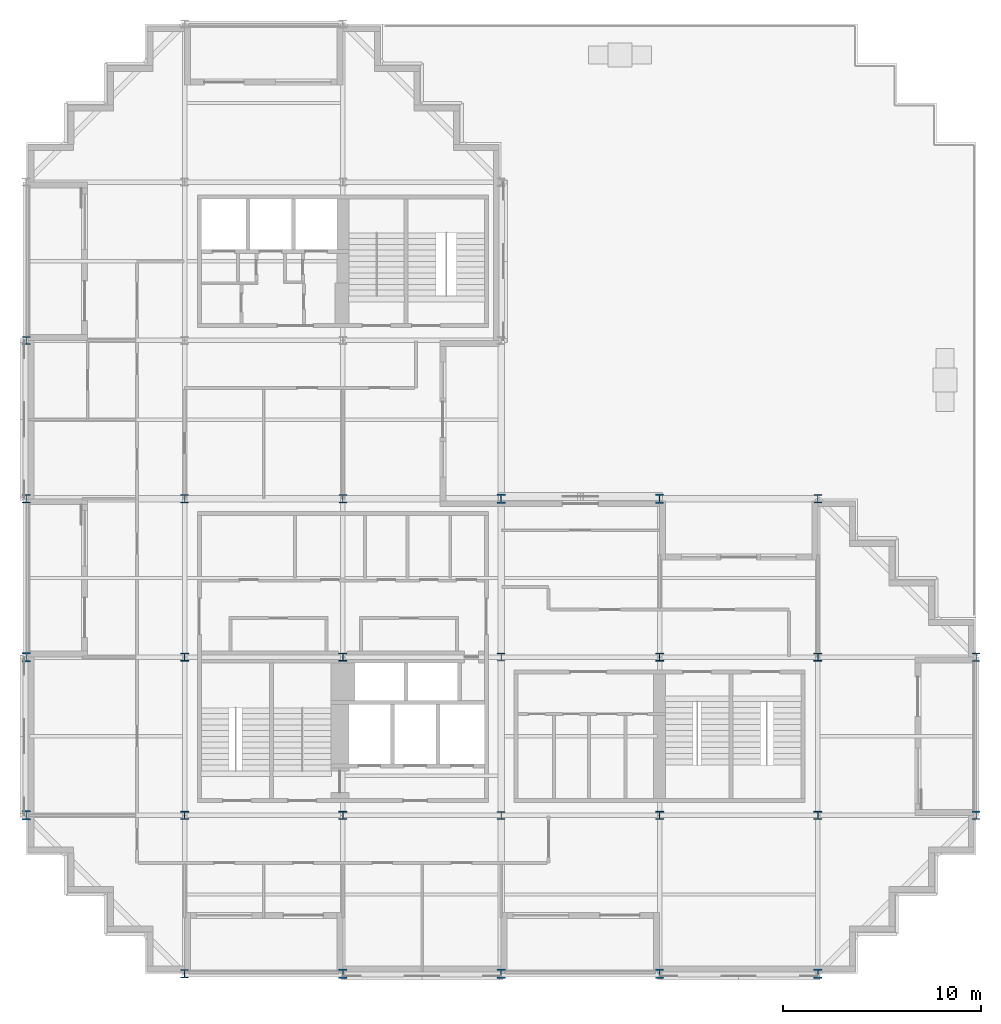
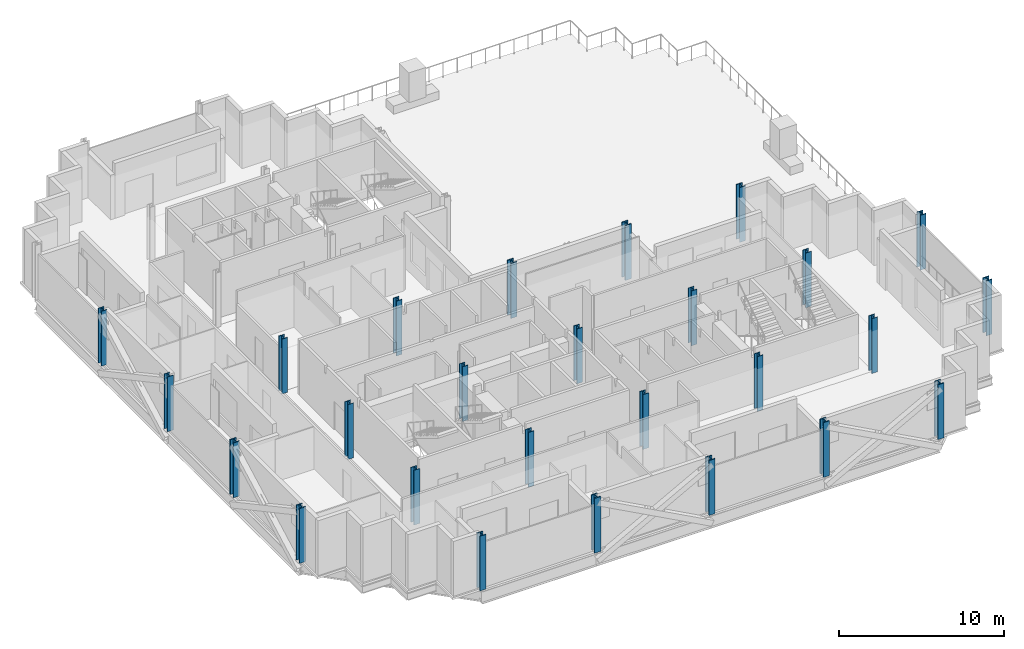
# One storey, part 1 of 12: 26 columns.
"""IFC4 building model written with IfcOpenShell, lengths in metres."""

from ifc_helpers import new_model, si_unit, direction, frame, origin, origin_2d, place, context, subcontext, project, spatial, i_section, extrude, material, material_profile, profile_set, type_object, element, save


model = new_model("IFC4")

# Units and contexts
model_context = context("Model", 3, precision=1e-05, world=origin(), true_north=direction((0.0, 1.0)))
body_context = subcontext(model_context, "Body", "Model", "MODEL_VIEW")
ifc_project = project(units=[si_unit("LENGTHUNIT", "METRE"), si_unit("AREAUNIT", "SQUARE_METRE"), si_unit("VOLUMEUNIT", "CUBIC_METRE"), si_unit("PLANEANGLEUNIT", "RADIAN"), si_unit("MASSUNIT", "GRAM", prefix="KILO")], contexts=[model_context])

# Site, building, storey
site_placement = place(None, origin())
site = spatial("IfcSite", under=ifc_project, at=site_placement, CompositionType="ELEMENT")
building_placement = place(site_placement, origin())
building = spatial("IfcBuilding", under=site, at=building_placement, Name="Immortelle Media Tower", CompositionType="ELEMENT")
storey_placement = place(building_placement, frame((0.0, 0.0, 120.0)))
storey = spatial("IfcBuildingStorey", under=building, at=storey_placement, Name="L23", CompositionType="ELEMENT", Elevation=120.0)

# Columns
ifc_material = material(Name="Steel ASTM A992 Gr 50", Category="steel")
ifc_material_profile_1 = material_profile(ifc_material, i_section(OverallWidth=0.40087890625, OverallDepth=0.39892578125, WebThickness=0.02490234375, FlangeThickness=0.0400390625, at=origin_2d()), Name="W14x211")
ifc_profile_set_1 = profile_set([ifc_material_profile_1], Name="Steel ASTM A992 Gr 50")
column_type_1 = type_object("IfcColumnType", Name="W14x211 column", PredefinedType="COLUMN", material=ifc_profile_set_1)
for number, where, z_axis, x_axis, name in (
    (1, (8.0, 8.0, 0.0), (0.0, 0.0, 1.0), (1.0, 0.0, 0.0), "Column 2/B"),
    (2, (8.0, 16.0, 0.0), (0.0, 0.0, 1.0), (1.0, 0.0, 0.0), "Column 2/C"),
    (3, (16.0, 8.0, 0.0), (0.0, 0.0, 1.0), (1.0, 0.0, 0.0), "Column 3/B"),
    (4, (16.0, 16.0, 0.0), (0.0, 0.0, 1.0), (1.0, 0.0, 0.0), "Column 3/C"),
    (5, (32.0, 8.0, 0.0), (0.0, 0.0, 1.0), (1.0, 0.0, 0.0), "Column 5/B"),
    (6, (32.0, 16.0, 0.0), (0.0, 0.0, 1.0), (1.0, 0.0, 0.0), "Column 5/C"),
    (7, (40.0, 8.0, 0.0), (0.0, 0.0, 1.0), (1.0, 0.0, 0.0), "Column 6/B"),
    (8, (40.0, 16.0, 0.0), (0.0, 0.0, 1.0), (1.0, 0.0, 0.0), "Column 6/C"),
):
    element("IfcColumn", number, at=place(storey_placement, frame(where, z_axis=z_axis, x_axis=x_axis)), inside=storey, type_object=column_type_1, Name=name, PredefinedType="COLUMN", context=body_context, shape_type="SweptSolid", body=[
        extrude(i_section(OverallWidth=0.40087890625, OverallDepth=0.39892578125, WebThickness=0.02490234375, FlangeThickness=0.0400390625, at=origin_2d()), origin(), (0.0, 0.0, 1.0), 4.050048828125),
    ])
ifc_material_profile_2 = material_profile(ifc_material, i_section(OverallWidth=0.406005859375, OverallDepth=0.4169921875, WebThickness=0.030029296875, FlangeThickness=0.048095703125, at=origin_2d()), Name="W14x257")
ifc_profile_set_2 = profile_set([ifc_material_profile_2], Name="Steel ASTM A992 Gr 50")
column_type_2 = type_object("IfcColumnType", Name="W14x257 column", PredefinedType="COLUMN", material=ifc_profile_set_2)
for number, where, z_axis, x_axis, name in (
    (9, (0.0, 24.0, 0.0), (0.0, 0.0, 1.0), (1.0, 0.0, 0.0), "Column 1/D"),
    (10, (0.0, 32.0, 0.0), (0.0, 0.0, 1.0), (1.0, 0.0, 0.0), "Column 1/E"),
    (11, (8.0, 24.0, 0.0), (0.0, 0.0, 1.0), (1.0, 0.0, 0.0), "Column 2/D"),
    (12, (16.0, 24.0, 0.0), (0.0, 0.0, 1.0), (1.0, 0.0, 0.0), "Column 3/D"),
    (13, (24.0, 8.0, 0.0), (0.0, 0.0, 1.0), (1.0, 0.0, 0.0), "Column 4/B"),
    (14, (24.0, 16.0, 0.0), (0.0, 0.0, 1.0), (1.0, 0.0, 0.0), "Column 4/C"),
):
    element("IfcColumn", number, at=place(storey_placement, frame(where, z_axis=z_axis, x_axis=x_axis)), inside=storey, type_object=column_type_2, Name=name, PredefinedType="COLUMN", context=body_context, shape_type="SweptSolid", body=[
        extrude(i_section(OverallWidth=0.406005859375, OverallDepth=0.4169921875, WebThickness=0.030029296875, FlangeThickness=0.048095703125, at=origin_2d()), origin(), (0.0, 0.0, 1.0), 4.050048828125),
    ])
ifc_material_profile_3 = material_profile(ifc_material, i_section(OverallWidth=0.410888671875, OverallDepth=0.43408203125, WebThickness=0.035888671875, FlangeThickness=0.056884765625, at=origin_2d()), Name="W14x311")
ifc_profile_set_3 = profile_set([ifc_material_profile_3], Name="Steel ASTM A992 Gr 50")
column_type_3 = type_object("IfcColumnType", Name="W14x311 column", PredefinedType="COLUMN", material=ifc_profile_set_3)
for number, where, z_axis, x_axis, name in (
    (15, (8.0, 0.0, 0.0), (0.0, 0.0, 1.0), (1.0, 0.0, 0.0), "Column 2/A"),
    (16, (40.0, 24.0, 0.0), (0.0, 0.0, 1.0), (1.0, 0.0, 0.0), "Column 6/D"),
    (17, (48.0, 8.0, 0.0), (0.0, 0.0, 1.0), (1.0, 0.0, 0.0), "Column 7/B"),
    (18, (48.0, 16.0, 0.0), (0.0, 0.0, 1.0), (1.0, 0.0, 0.0), "Column 7/C"),
):
    element("IfcColumn", number, at=place(storey_placement, frame(where, z_axis=z_axis, x_axis=x_axis)), inside=storey, type_object=column_type_3, Name=name, PredefinedType="COLUMN", context=body_context, shape_type="SweptSolid", body=[
        extrude(i_section(OverallWidth=0.410888671875, OverallDepth=0.43408203125, WebThickness=0.035888671875, FlangeThickness=0.056884765625, at=origin_2d()), origin(), (0.0, 0.0, 1.0), 4.050048828125),
    ])
ifc_material_profile_4 = material_profile(ifc_material, i_section(OverallWidth=0.424072265625, OverallDepth=0.47509765625, WebThickness=0.048095703125, FlangeThickness=0.076904296875, at=origin_2d()), Name="W14x426")
ifc_profile_set_4 = profile_set([ifc_material_profile_4], Name="Steel ASTM A992 Gr 50")
column_type_4 = type_object("IfcColumnType", Name="W14x426 column", PredefinedType="COLUMN", material=ifc_profile_set_4)
for number, where, z_axis, x_axis, name in (
    (19, (0.0, 8.0, 0.0), (0.0, 0.0, 1.0), (1.0, 0.0, 0.0), "Column 1/B"),
    (20, (0.0, 16.0, 0.0), (0.0, 0.0, 1.0), (1.0, 0.0, 0.0), "Column 1/C"),
    (21, (16.0, 0.0, 0.0), (0.0, 0.0, 1.0), (1.0, 0.0, 0.0), "Column 3/A"),
    (22, (24.0, 0.0, 0.0), (0.0, 0.0, 1.0), (1.0, 0.0, 0.0), "Column 4/A"),
    (23, (24.0, 24.0, 0.0), (0.0, 0.0, 1.0), (1.0, 0.0, 0.0), "Column 4/D"),
    (24, (32.0, 0.0, 0.0), (0.0, 0.0, 1.0), (1.0, 0.0, 0.0), "Column 5/A"),
    (25, (32.0, 24.0, 0.0), (0.0, 0.0, 1.0), (1.0, 0.0, 0.0), "Column 5/D"),
    (26, (40.0, 0.0, 0.0), (0.0, 0.0, 1.0), (1.0, 0.0, 0.0), "Column 6/A"),
):
    element("IfcColumn", number, at=place(storey_placement, frame(where, z_axis=z_axis, x_axis=x_axis)), inside=storey, type_object=column_type_4, Name=name, PredefinedType="COLUMN", context=body_context, shape_type="SweptSolid", body=[
        extrude(i_section(OverallWidth=0.424072265625, OverallDepth=0.47509765625, WebThickness=0.048095703125, FlangeThickness=0.076904296875, at=origin_2d()), origin(), (0.0, 0.0, 1.0), 4.050048828125),
    ])

save(model, "model.ifc")
